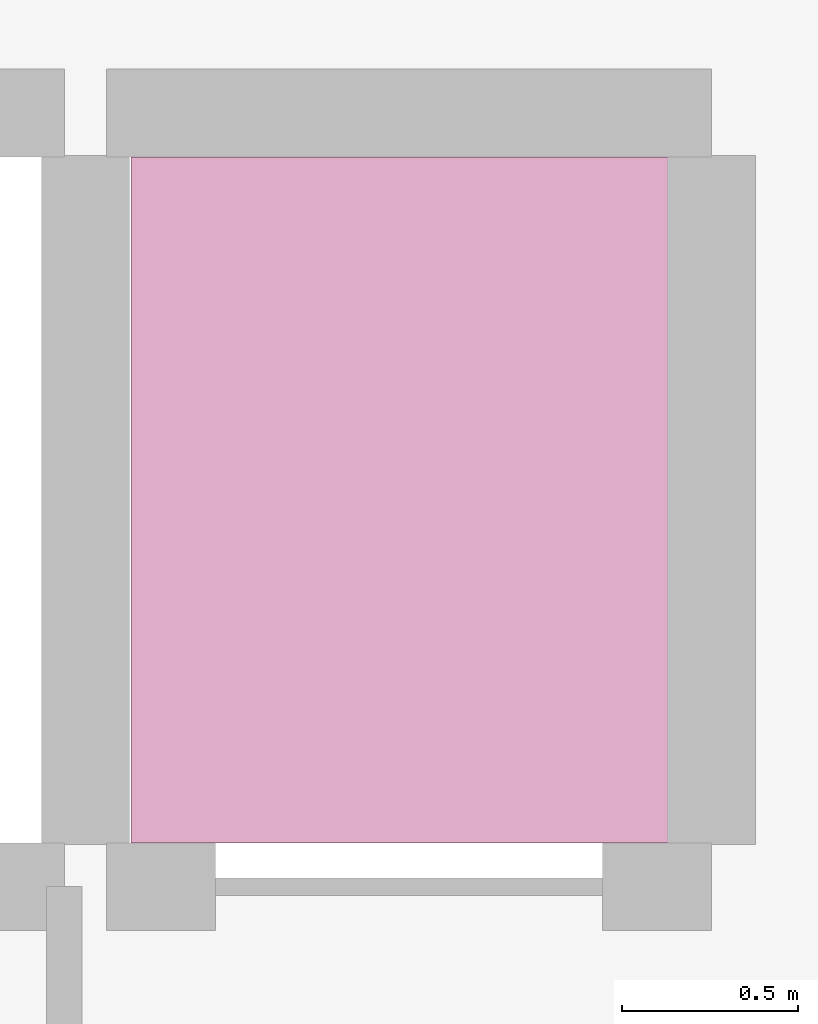
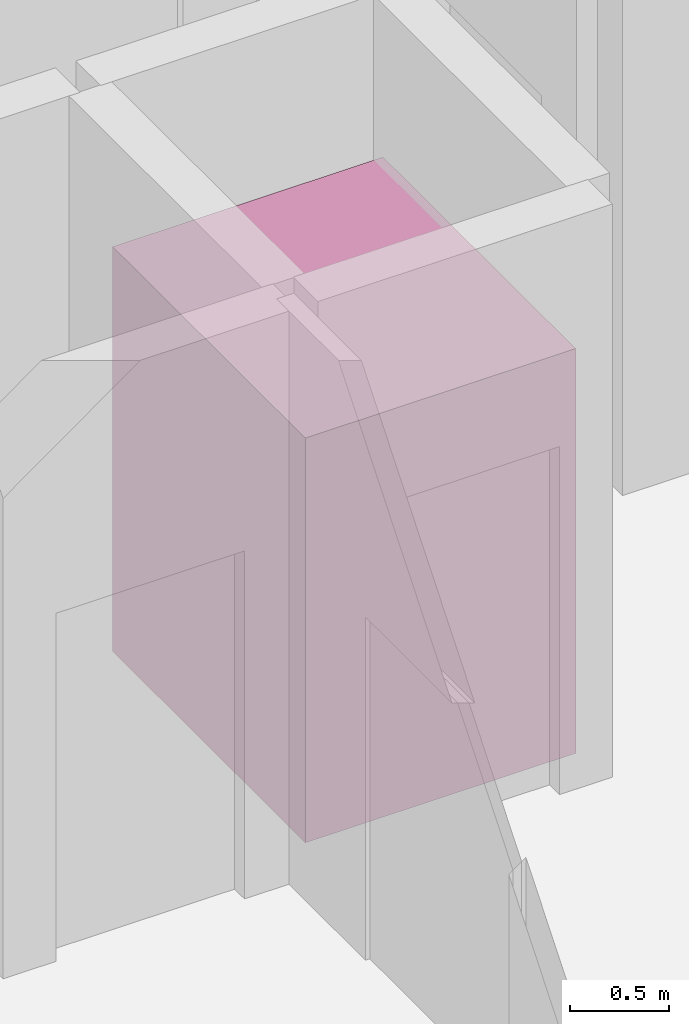
# One storey, part 10 of 10: 1 transport element.
"""IFC4 building model written with IfcOpenShell, lengths in metres."""

from ifc_helpers import new_model, si_unit, direction, frame, origin, origin_2d, place, context, subcontext, project, spatial, rectangle, extrude, material, type_object, element, save


model = new_model("IFC4")

# Units and contexts
model_context = context("Model", 3, precision=1e-05, world=origin(), true_north=direction((0.0, 1.0)))
body_context = subcontext(model_context, "Body", "Model", "MODEL_VIEW")
ifc_project = project(units=[si_unit("LENGTHUNIT", "METRE"), si_unit("AREAUNIT", "SQUARE_METRE"), si_unit("VOLUMEUNIT", "CUBIC_METRE"), si_unit("PLANEANGLEUNIT", "RADIAN"), si_unit("MASSUNIT", "GRAM", prefix="KILO")], contexts=[model_context])

# Site, building, storey
site_placement = place(None, origin())
site = spatial("IfcSite", under=ifc_project, at=site_placement, CompositionType="ELEMENT")
building_placement = place(site_placement, origin())
building = spatial("IfcBuilding", under=site, at=building_placement, Name="Zulverin Broadcast Headquarters", CompositionType="ELEMENT")
storey_placement = place(building_placement, frame((0.0, 0.0, 282.0)))
storey = spatial("IfcBuildingStorey", under=building, at=storey_placement, Name="L72", CompositionType="ELEMENT", Elevation=282.0)

# Transport element
ifc_material = material(Name="Stainless steel & laminated glass elevator car", Category="steel")
transport_element_type = type_object("IfcTransportElementType", Name="LFT-PASS-1600", PredefinedType="ELEVATOR", material=ifc_material)
transport_element_placement = place(storey_placement, frame((36.280029296875, 27.89990234375, 0.02001953125), z_axis=(0.0, 0.0, 1.0), x_axis=(1.0, 0.0, 0.0)))
element("IfcTransportElement", 1, at=transport_element_placement, inside=storey, type_object=transport_element_type, Name="Elevator Car PL-H4 (1600 kg, L00-L78)", PredefinedType="ELEVATOR", context=body_context, shape_type="SweptSolid", body=[
    extrude(rectangle(XDim=1.580078125, YDim=1.949951171875, at=origin_2d()), origin(), (0.0, 0.0, 1.0), 2.5),
])

save(model, "model.ifc")
